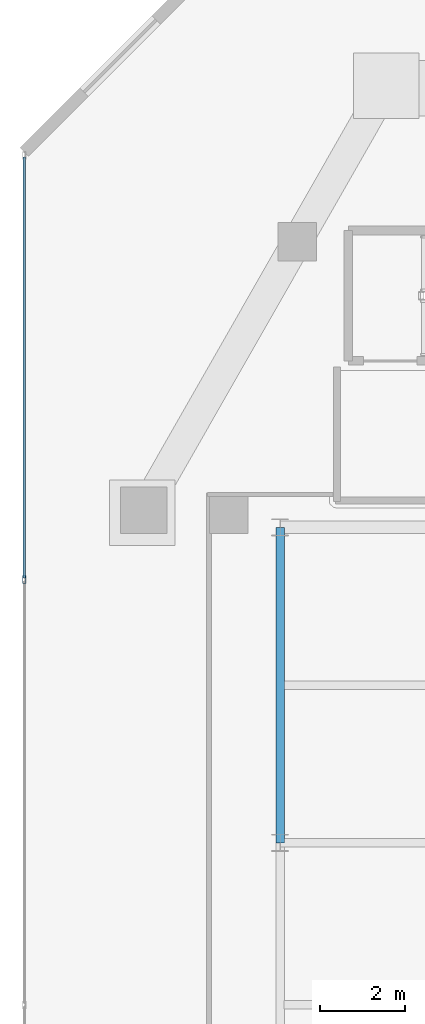
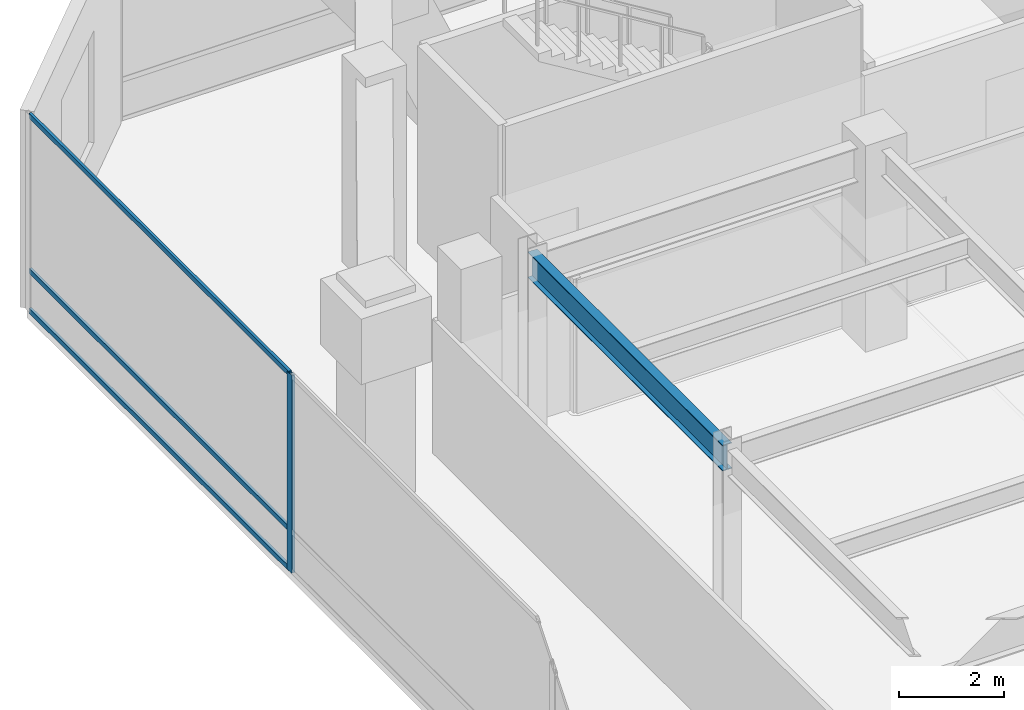
# One storey, part 15 of 45: 4 members, 1 beam, 1 element without a shape of its own.
"""IFC4 building model written with IfcOpenShell, lengths in metres."""

from ifc_helpers import new_model, si_unit, direction, frame, origin, origin_2d, place, context, subcontext, project, spatial, hollow_rectangle, i_section, extrude, material, layer, layer_set, material_profile, profile_set, type_object, element, aggregate, save


model = new_model("IFC4")

# Units and contexts
model_context = context("Model", 3, precision=1e-05, world=origin(), true_north=direction((0.0, 1.0)))
body_context = subcontext(model_context, "Body", "Model", "MODEL_VIEW")
ifc_project = project(units=[si_unit("LENGTHUNIT", "METRE"), si_unit("AREAUNIT", "SQUARE_METRE"), si_unit("VOLUMEUNIT", "CUBIC_METRE"), si_unit("PLANEANGLEUNIT", "RADIAN"), si_unit("MASSUNIT", "GRAM", prefix="KILO")], contexts=[model_context])

# Site, building, storey
site_placement = place(None, origin())
site = spatial("IfcSite", under=ifc_project, at=site_placement, CompositionType="ELEMENT")
building_placement = place(site_placement, origin())
building = spatial("IfcBuilding", under=site, at=building_placement, Name="Qianvela Tower", CompositionType="ELEMENT")
storey_placement = place(building_placement, frame((0.0, 0.0, 11.0)))
storey = spatial("IfcBuildingStorey", under=building, at=storey_placement, Name="L02", CompositionType="ELEMENT", Elevation=11.0)

# Beam
ifc_material_1 = material(Name="Steel Q355B", Category="steel")
ifc_material_profile_1 = material_profile(ifc_material_1, i_section(OverallWidth=0.199951171875, OverallDepth=0.60009765625, WebThickness=0.010986328125, FlangeThickness=0.01708984375, at=origin_2d()), Name="HN600x200x11x17")
ifc_profile_set_1 = profile_set([ifc_material_profile_1], Name="Steel Q355B")
beam_type = type_object("IfcBeamType", Name="BM-HN600-GIRD", PredefinedType="BEAM", material=ifc_profile_set_1)
beam_placement = place(storey_placement, frame((7.5, 29.800048828125, 4.278076171875), z_axis=(0.0, 1.0, 0.0), x_axis=(-1.0, 0.0, 0.0)))
element("IfcBeam", 1, at=beam_placement, inside=storey, type_object=beam_type, Name="L02 North-South Grid Girder 18", PredefinedType="BEAM", context=body_context, shape_type="SweptSolid", body=[
    extrude(i_section(OverallWidth=0.199951171875, OverallDepth=0.60009765625, WebThickness=0.010986328125, FlangeThickness=0.01708984375, at=origin_2d()), origin(), (0.0, 0.0, 1.0), 7.39990234375),
])

# Curtain wall, members
ifc_material_2 = material(Name="Anodised Architectural Aluminium and Low-E Glass", Category="aluminium")
ifc_layer = layer(ifc_material_2, 0.179931640625)
ifc_layer_set = layer_set([ifc_layer], Name="Anodised Architectural Aluminium and Low-E Glass")
curtain_wall_type = type_object("IfcCurtainWallType", Name="CW-COMMONS", PredefinedType="USERDEFINED", material=ifc_layer_set)
curtain_wall_placement = place(storey_placement, origin())
curtain_wall = element("IfcCurtainWall", 2, at=curtain_wall_placement, inside=storey, type_object=curtain_wall_type, Name="L02 CW-COMMONS Curtain Wall 07", ObjectType="CURTAIN_WALL_SYSTEM", PredefinedType="USERDEFINED")
ifc_material_3 = material(Name="Anodised Architectural Aluminium 6063-T6", Category="aluminium")
ifc_material_profile_2 = material_profile(ifc_material_3, hollow_rectangle(XDim=0.070068359375, YDim=0.179931640625, WallThickness=0.0048828125, at=origin_2d()), Name="ALU-MULL-70x180")
ifc_profile_set_2 = profile_set([ifc_material_profile_2], Name="Anodised Architectural Aluminium 6063-T6")
member_type_1 = type_object("IfcMemberType", Name="CW-COMMONS-MULL", PredefinedType="MULLION", material=ifc_profile_set_2)
member_1_placement = place(storey_placement, frame((1.5, 35.97509765625, 0.0), z_axis=(0.0, 0.0, 1.0), x_axis=(1.0, 0.0, 0.0)))
member_1 = element("IfcMember", 3, at=member_1_placement, type_object=member_type_1, Name="CW-2 mullion 2", PredefinedType="MULLION", context=body_context, shape_type="SweptSolid", body=[
    extrude(hollow_rectangle(XDim=0.070068359375, YDim=0.179931640625, WallThickness=0.0048828125, at=origin_2d()), origin(), (0.0, 0.0, 1.0), 4.580078125),
])
ifc_material_4 = material(Name="Anodised Architectural Aluminium 6063-T6", Category="aluminium")
ifc_material_profile_3 = material_profile(ifc_material_4, hollow_rectangle(XDim=0.06005859375, YDim=0.114990234375, WallThickness=0.00390625, at=origin_2d()), Name="ALU-TRAN-60x115")
ifc_profile_set_3 = profile_set([ifc_material_profile_3], Name="Anodised Architectural Aluminium 6063-T6")
member_type_2 = type_object("IfcMemberType", Name="CW-COMMONS-TRAN", PredefinedType="USERDEFINED", material=ifc_profile_set_3)
member_2_placement = place(storey_placement, frame((1.5, 45.8798828125, 0.030029296875), z_axis=(0.0, -1.0, 0.0), x_axis=(1.0, 0.0, 0.0)))
member_2 = element("IfcMember", 4, at=member_2_placement, type_object=member_type_2, Name="CW-2 transom 1.1", ObjectType="TRANSOM", PredefinedType="USERDEFINED", context=body_context, shape_type="SweptSolid", body=[
    extrude(hollow_rectangle(XDim=0.06005859375, YDim=0.114990234375, WallThickness=0.00390625, at=origin_2d()), origin(), (0.0, 0.0, 1.0), 9.869873046875),
])
member_3_placement = place(storey_placement, frame((1.5, 45.8798828125, 0.949951171875), z_axis=(0.0, -1.0, 0.0), x_axis=(1.0, 0.0, 0.0)))
member_3 = element("IfcMember", 5, at=member_3_placement, type_object=member_type_2, Name="CW-2 transom 1.2", ObjectType="TRANSOM", PredefinedType="USERDEFINED", context=body_context, shape_type="SweptSolid", body=[
    extrude(hollow_rectangle(XDim=0.06005859375, YDim=0.114990234375, WallThickness=0.00390625, at=origin_2d()), origin(), (0.0, 0.0, 1.0), 9.869873046875),
])
member_4_placement = place(storey_placement, frame((1.5, 45.8798828125, 4.550048828125), z_axis=(0.0, -1.0, 0.0), x_axis=(1.0, 0.0, 0.0)))
member_4 = element("IfcMember", 6, at=member_4_placement, type_object=member_type_2, Name="CW-2 transom 1.3", ObjectType="TRANSOM", PredefinedType="USERDEFINED", context=body_context, shape_type="SweptSolid", body=[
    extrude(hollow_rectangle(XDim=0.06005859375, YDim=0.114990234375, WallThickness=0.00390625, at=origin_2d()), origin(), (0.0, 0.0, 1.0), 9.869873046875),
])
aggregate(curtain_wall, [member_1, member_2, member_3, member_4])

save(model, "model.ifc")
